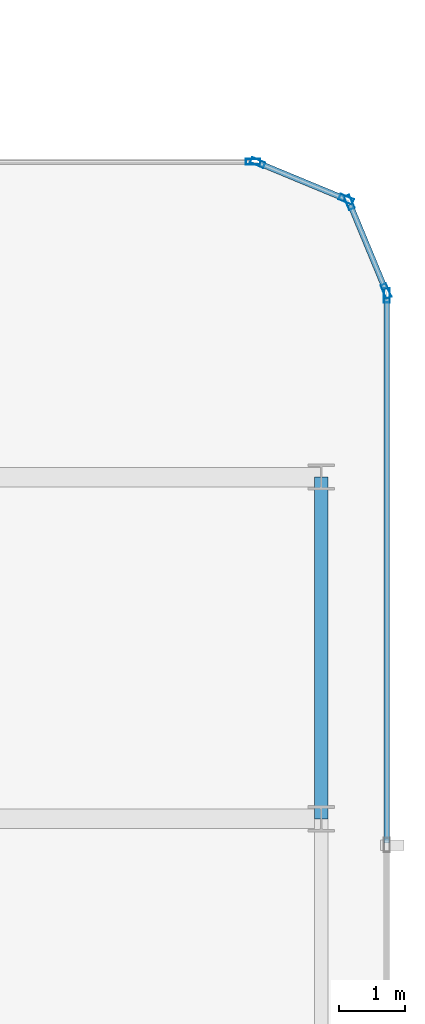
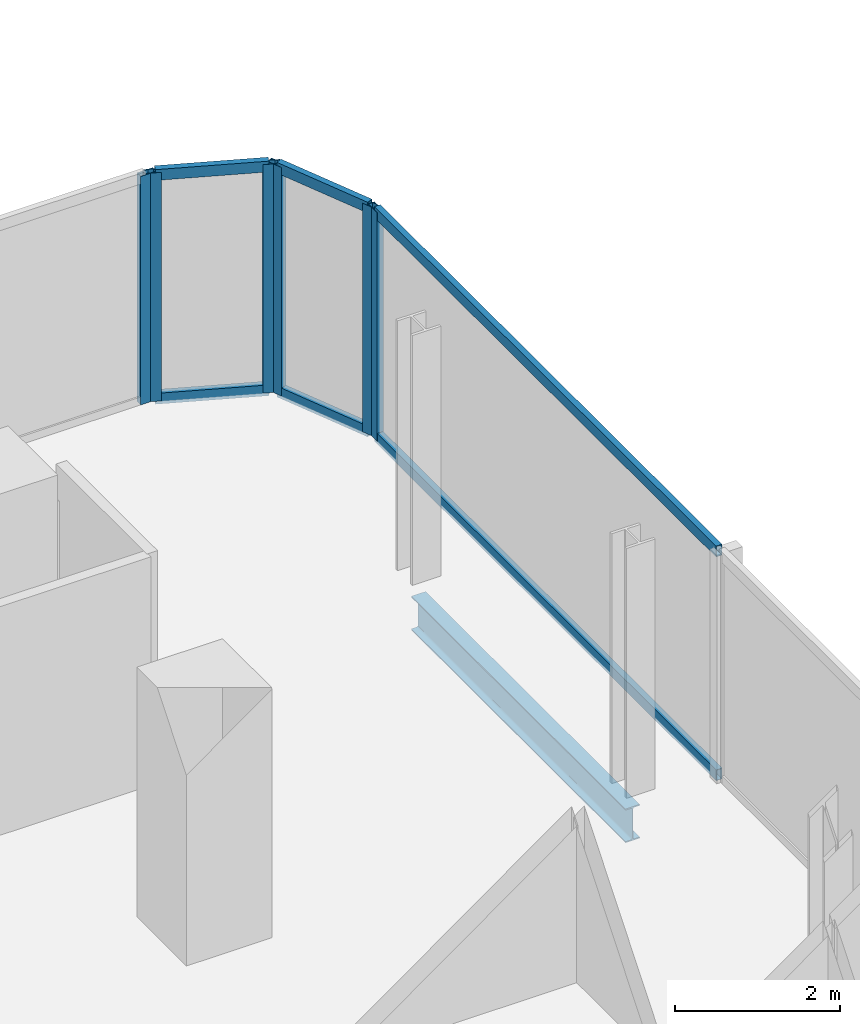
# One storey, part 19 of 34: 12 members, 1 beam, 4 elements without a shape of their own.
"""IFC4 building model written with IfcOpenShell, lengths in metres."""

from ifc_helpers import new_model, si_unit, direction, frame, origin, origin_2d, place, context, subcontext, project, spatial, hollow_rectangle, i_section, extrude, material, layer, layer_set, material_profile, profile_set, type_object, element, aggregate, save


model = new_model("IFC4")

# Units and contexts
model_context = context("Model", 3, precision=1e-05, world=origin(), true_north=direction((0.0, 1.0)))
body_context = subcontext(model_context, "Body", "Model", "MODEL_VIEW")
ifc_project = project(units=[si_unit("LENGTHUNIT", "METRE"), si_unit("AREAUNIT", "SQUARE_METRE"), si_unit("VOLUMEUNIT", "CUBIC_METRE"), si_unit("PLANEANGLEUNIT", "RADIAN"), si_unit("MASSUNIT", "GRAM", prefix="KILO")], contexts=[model_context])

# Site, building, storey
site_placement = place(None, origin())
site = spatial("IfcSite", under=ifc_project, at=site_placement, CompositionType="ELEMENT")
building_placement = place(site_placement, origin())
building = spatial("IfcBuilding", under=site, at=building_placement, Name="Keshet Zoharim Tower", CompositionType="ELEMENT")
storey_placement = place(building_placement, frame((0.0, 0.0, 53.60009765625)))
storey = spatial("IfcBuildingStorey", under=building, at=storey_placement, Name="L12", CompositionType="ELEMENT", Elevation=53.60009765625)

# Beam
ifc_material_1 = material(Name="Steel S355", Category="steel")
ifc_material_profile_1 = material_profile(ifc_material_1, i_section(OverallWidth=0.199951171875, OverallDepth=0.5, WebThickness=0.01025390625, FlangeThickness=0.01611328125, FilletRadius=0.02099609375, at=origin_2d()), Name="IPE500")
ifc_profile_set_1 = profile_set([ifc_material_profile_1], Name="Steel S355")
beam_type = type_object("IfcBeamType", Name="BM-PRI-IP500", PredefinedType="BEAM", material=ifc_profile_set_1)
beam_placement = place(storey_placement, frame((69.0, 22.699951171875, -0.565185546875), z_axis=(0.0, 1.0, 0.0), x_axis=(-1.0, 0.0, 0.0)))
element("IfcBeam", 1, at=beam_placement, inside=storey, type_object=beam_type, Name="L12 Primary Girder Y-025", PredefinedType="BEAM", context=body_context, shape_type="SweptSolid", body=[
    extrude(i_section(OverallWidth=0.199951171875, OverallDepth=0.5, WebThickness=0.01025390625, FlangeThickness=0.01611328125, FilletRadius=0.02099609375, at=origin_2d()), origin(), (0.0, 0.0, 1.0), 5.199951171875),
])

# Curtain wall, member
ifc_material_2 = material(Name="Aluminium 6063-T6", Category="aluminium")
ifc_layer = layer(ifc_material_2, 0.169921875)
ifc_layer_set = layer_set([ifc_layer], Name="Aluminium 6063-T6")
curtain_wall_type = type_object("IfcCurtainWallType", Name="CW-SYS-02", PredefinedType="NOTDEFINED", material=ifc_layer_set)
curtain_wall_1_placement = place(storey_placement, origin())
curtain_wall_1 = element("IfcCurtainWall", 2, at=curtain_wall_1_placement, inside=storey, type_object=curtain_wall_type, Name="L12 Unitised Curtain Wall 13", PredefinedType="NOTDEFINED")
ifc_material_profile_2 = material_profile(ifc_material_2, hollow_rectangle(XDim=0.090087890625, YDim=0.219970703125, WallThickness=0.0048828125, at=origin_2d()), Name="MUL-90x220")
ifc_profile_set_2 = profile_set([ifc_material_profile_2], Name="Aluminium 6063-T6")
member_type_1 = type_object("IfcMemberType", Name="CWM-M22", PredefinedType="MULLION", material=ifc_profile_set_2)
member_1_placement = place(storey_placement, frame((67.965087890625, 32.699951171875, 0.0), z_axis=(0.0, 0.0, 1.0), x_axis=(0.0, 1.0, 0.0)))
member_1 = element("IfcMember", 3, at=member_1_placement, type_object=member_type_1, Name="CW-02 mullion 2", PredefinedType="MULLION", context=body_context, shape_type="SweptSolid", body=[
    extrude(hollow_rectangle(XDim=0.090087890625, YDim=0.219970703125, WallThickness=0.0048828125, at=origin_2d()), origin(), (0.0, 0.0, 1.0), 3.385009765625),
])
aggregate(curtain_wall_1, [member_1])

# Curtain wall, members
curtain_wall_2_placement = place(storey_placement, origin())
curtain_wall_2 = element("IfcCurtainWall", 4, at=curtain_wall_2_placement, inside=storey, type_object=curtain_wall_type, Name="L12 Unitised Curtain Wall 14", PredefinedType="NOTDEFINED")
member_2_placement = place(storey_placement, frame((68.0322265625, 32.6865234375, 0.0), z_axis=(0.0, 0.0, 1.0), x_axis=(0.382851849847, 0.92380975372, 0.0)))
member_2 = element("IfcMember", 5, at=member_2_placement, type_object=member_type_1, Name="CW-02 mullion 1", PredefinedType="MULLION", context=body_context, shape_type="SweptSolid", body=[
    extrude(hollow_rectangle(XDim=0.090087890625, YDim=0.219970703125, WallThickness=0.0048828125, at=origin_2d()), origin(), (0.0, 0.0, 1.0), 3.385009765625),
])
member_3_placement = place(storey_placement, frame((69.381591796875, 32.12744140625, 0.0), z_axis=(0.0, 0.0, 1.0), x_axis=(0.382851849847, 0.92380975372, 0.0)))
member_3 = element("IfcMember", 6, at=member_3_placement, type_object=member_type_1, Name="CW-02 mullion 2", PredefinedType="MULLION", context=body_context, shape_type="SweptSolid", body=[
    extrude(hollow_rectangle(XDim=0.090087890625, YDim=0.219970703125, WallThickness=0.0048828125, at=origin_2d()), origin(), (0.0, 0.0, 1.0), 3.385009765625),
])

curtain_wall_3_placement = place(storey_placement, origin())
curtain_wall_3 = element("IfcCurtainWall", 7, at=curtain_wall_3_placement, inside=storey, type_object=curtain_wall_type, Name="L12 Unitised Curtain Wall 15", PredefinedType="NOTDEFINED")
member_4_placement = place(storey_placement, frame((69.427490234375, 32.081787109375, 0.0), z_axis=(0.0, 0.0, 1.0), x_axis=(0.92380975372, 0.382851849847, 0.0)))
member_4 = element("IfcMember", 8, at=member_4_placement, type_object=member_type_1, Name="CW-02 mullion 1", PredefinedType="MULLION", context=body_context, shape_type="SweptSolid", body=[
    extrude(hollow_rectangle(XDim=0.090087890625, YDim=0.219970703125, WallThickness=0.0048828125, at=origin_2d()), origin(), (0.0, 0.0, 1.0), 3.385009765625),
])
member_5_placement = place(storey_placement, frame((69.986572265625, 30.732421875, 0.0), z_axis=(0.0, 0.0, 1.0), x_axis=(0.92380975372, 0.382851849847, 0.0)))
member_5 = element("IfcMember", 9, at=member_5_placement, type_object=member_type_1, Name="CW-02 mullion 2", PredefinedType="MULLION", context=body_context, shape_type="SweptSolid", body=[
    extrude(hollow_rectangle(XDim=0.090087890625, YDim=0.219970703125, WallThickness=0.0048828125, at=origin_2d()), origin(), (0.0, 0.0, 1.0), 3.385009765625),
])

# Curtain wall, member
curtain_wall_4_placement = place(storey_placement, origin())
curtain_wall_4 = element("IfcCurtainWall", 10, at=curtain_wall_4_placement, inside=storey, type_object=curtain_wall_type, Name="L12 Unitised Curtain Wall 16", PredefinedType="NOTDEFINED")
member_6_placement = place(storey_placement, frame((70.0, 30.6650390625, 0.0), z_axis=(0.0, 0.0, 1.0), x_axis=(1.0, 0.0, 0.0)))
member_6 = element("IfcMember", 11, at=member_6_placement, type_object=member_type_1, Name="CW-02 mullion 1", PredefinedType="MULLION", context=body_context, shape_type="SweptSolid", body=[
    extrude(hollow_rectangle(XDim=0.090087890625, YDim=0.219970703125, WallThickness=0.0048828125, at=origin_2d()), origin(), (0.0, 0.0, 1.0), 3.385009765625),
])

# Member
ifc_material_profile_3 = material_profile(ifc_material_2, hollow_rectangle(XDim=0.0849609375, YDim=0.159912109375, WallThickness=0.00439453125, at=origin_2d()), Name="TRN-85x160")
ifc_profile_set_3 = profile_set([ifc_material_profile_3], Name="Aluminium 6063-T6")
member_type_2 = type_object("IfcMemberType", Name="CWT-T16", PredefinedType="USERDEFINED", material=ifc_profile_set_3)
member_7_placement = place(storey_placement, frame((68.064697265625, 32.673095703125, 0.034912109375), z_axis=(0.923854189844, -0.382744609247, 0.0), x_axis=(0.382744609247, 0.923854189844, 0.0)))
member_7 = element("IfcMember", 12, at=member_7_placement, type_object=member_type_2, Name="CW-02 transom 1.1", ObjectType="TRANSOM", PredefinedType="USERDEFINED", context=body_context, shape_type="SweptSolid", body=[
    extrude(hollow_rectangle(XDim=0.0849609375, YDim=0.159912109375, WallThickness=0.00439453125, at=origin_2d()), origin(), (0.0, 0.0, 1.0), 1.390625),
])

member_8_placement = place(storey_placement, frame((68.064697265625, 32.673095703125, 3.349853515625), z_axis=(0.923854189844, -0.382744609247, 0.0), x_axis=(0.382744609247, 0.923854189844, 0.0)))
member_8 = element("IfcMember", 13, at=member_8_placement, type_object=member_type_2, Name="CW-02 transom 1.2", ObjectType="TRANSOM", PredefinedType="USERDEFINED", context=body_context, shape_type="SweptSolid", body=[
    extrude(hollow_rectangle(XDim=0.0849609375, YDim=0.159912109375, WallThickness=0.00439453125, at=origin_2d()), origin(), (0.0, 0.0, 1.0), 1.390625),
])

aggregate(curtain_wall_2, [member_2, member_3, member_7, member_8])

member_9_placement = place(storey_placement, frame((69.44091796875, 32.04931640625, 0.034912109375), z_axis=(0.382744609247, -0.923854189844, 0.0), x_axis=(0.923854189844, 0.382744609247, 0.0)))
member_9 = element("IfcMember", 14, at=member_9_placement, type_object=member_type_2, Name="CW-02 transom 1.1", ObjectType="TRANSOM", PredefinedType="USERDEFINED", context=body_context, shape_type="SweptSolid", body=[
    extrude(hollow_rectangle(XDim=0.0849609375, YDim=0.159912109375, WallThickness=0.00439453125, at=origin_2d()), origin(), (0.0, 0.0, 1.0), 1.390625),
])

member_10_placement = place(storey_placement, frame((69.44091796875, 32.04931640625, 3.349853515625), z_axis=(0.382744609247, -0.923854189844, 0.0), x_axis=(0.923854189844, 0.382744609247, 0.0)))
member_10 = element("IfcMember", 15, at=member_10_placement, type_object=member_type_2, Name="CW-02 transom 1.2", ObjectType="TRANSOM", PredefinedType="USERDEFINED", context=body_context, shape_type="SweptSolid", body=[
    extrude(hollow_rectangle(XDim=0.0849609375, YDim=0.159912109375, WallThickness=0.00439453125, at=origin_2d()), origin(), (0.0, 0.0, 1.0), 1.390625),
])

aggregate(curtain_wall_3, [member_4, member_5, member_9, member_10])

member_11_placement = place(storey_placement, frame((70.0, 30.6298828125, 0.034912109375), z_axis=(0.0, -1.0, 0.0), x_axis=(1.0, 0.0, 0.0)))
member_11 = element("IfcMember", 16, at=member_11_placement, type_object=member_type_2, Name="CW-02 transom 1.1", ObjectType="TRANSOM", PredefinedType="USERDEFINED", context=body_context, shape_type="SweptSolid", body=[
    extrude(hollow_rectangle(XDim=0.0849609375, YDim=0.159912109375, WallThickness=0.00439453125, at=origin_2d()), origin(), (0.0, 0.0, 1.0), 8.29638671875),
])

member_12_placement = place(storey_placement, frame((70.0, 30.6298828125, 3.349853515625), z_axis=(0.0, -1.0, 0.0), x_axis=(1.0, 0.0, 0.0)))
member_12 = element("IfcMember", 17, at=member_12_placement, type_object=member_type_2, Name="CW-02 transom 1.2", ObjectType="TRANSOM", PredefinedType="USERDEFINED", context=body_context, shape_type="SweptSolid", body=[
    extrude(hollow_rectangle(XDim=0.0849609375, YDim=0.159912109375, WallThickness=0.00439453125, at=origin_2d()), origin(), (0.0, 0.0, 1.0), 8.29638671875),
])

aggregate(curtain_wall_4, [member_6, member_11, member_12])

save(model, "model.ifc")
